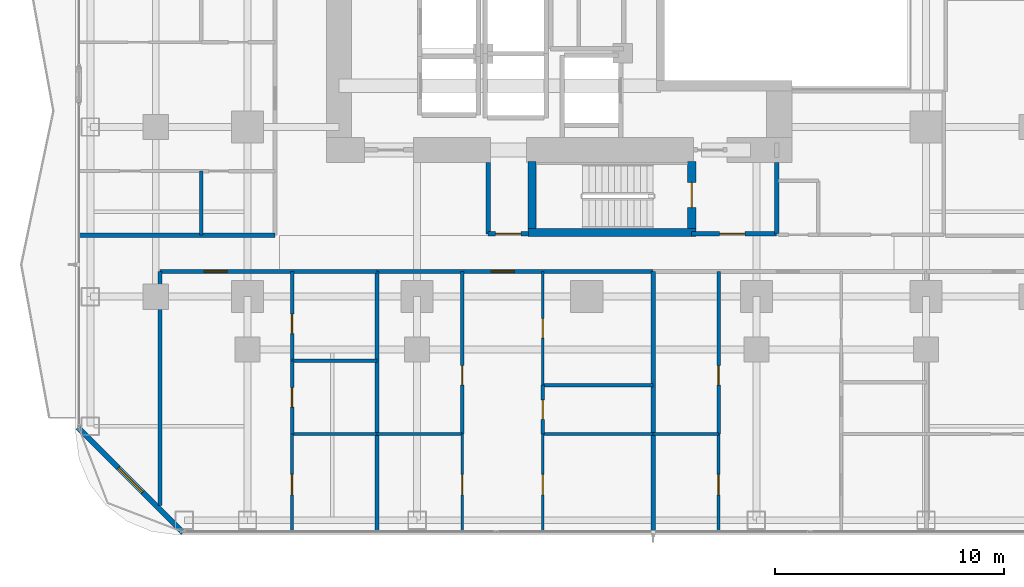
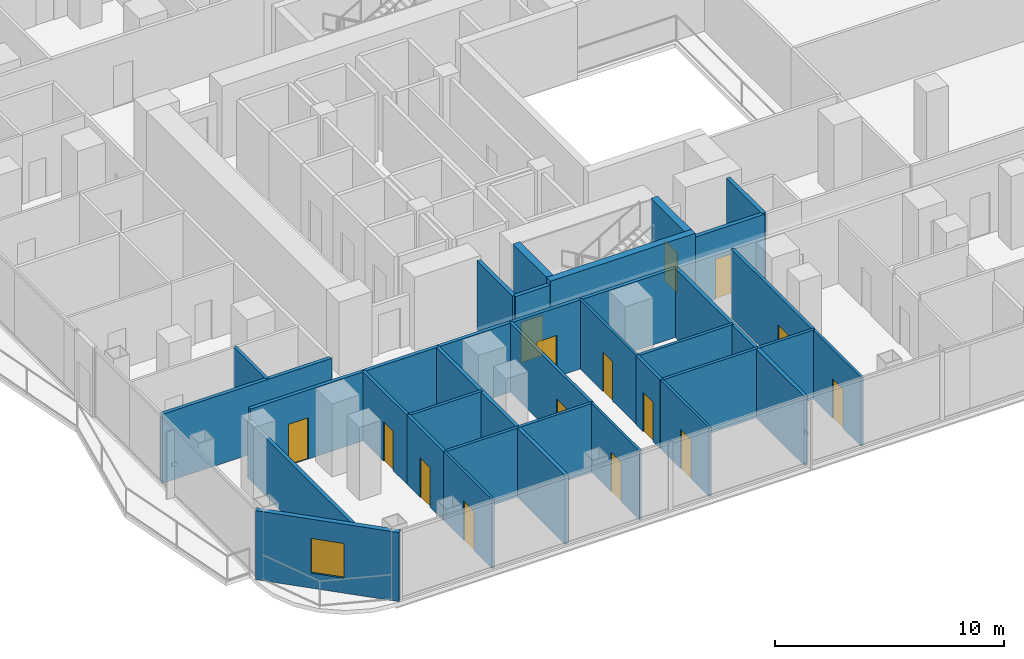
# One storey, part 20 of 30: 31 walls, 15 doors, 1 window, 16 openings.
"""IFC4 building model written with IfcOpenShell, lengths in metres."""

from ifc_helpers import new_model, si_unit, direction, frame, frame_2d, origin, place, context, subcontext, project, spatial, rectangle, extrude, material, layer, layer_set, type_object, element, fill, save


model = new_model("IFC4")

# Units and contexts
model_context = context("Model", 3, precision=1e-05, world=origin(), true_north=direction((0.0, 1.0)))
body_context = subcontext(model_context, "Body", "Model", "MODEL_VIEW")
ifc_project = project(units=[si_unit("LENGTHUNIT", "METRE"), si_unit("AREAUNIT", "SQUARE_METRE"), si_unit("VOLUMEUNIT", "CUBIC_METRE"), si_unit("PLANEANGLEUNIT", "RADIAN"), si_unit("MASSUNIT", "GRAM", prefix="KILO")], contexts=[model_context])

# Site, building, storey
site_placement = place(None, origin())
site = spatial("IfcSite", under=ifc_project, at=site_placement, CompositionType="ELEMENT")
building_placement = place(site_placement, origin())
building = spatial("IfcBuilding", under=site, at=building_placement, Name="Khorvyn Point Tower", CompositionType="ELEMENT")
storey_placement = place(building_placement, frame((0.0, 0.0, 30.60009765625)))
storey = spatial("IfcBuildingStorey", under=building, at=storey_placement, Name="L08", CompositionType="ELEMENT", Elevation=30.60009765625)

# Wall, opening, door
ifc_material_1 = material(Name="Double acoustic gypsum on twin steel stud", Category="steel")
ifc_layer_1 = layer(ifc_material_1, 0.179931640625)
ifc_layer_set_1 = layer_set([ifc_layer_1], Name="Acoustic Double-Stud Apartment Demising Wall 180")
wall_type_1 = type_object("IfcWallType", Name="Acoustic Double-Stud Apartment Demising Wall 180", PredefinedType="PARTITIONING", material=ifc_layer_set_1)
wall_1_placement = place(storey_placement, frame((-18.6201171875, -13.699951171875, 0.0), z_axis=(0.0, 0.0, 1.0), x_axis=(1.0, 0.0, 0.0)))
wall_1 = element("IfcWall", 1, at=wall_1_placement, inside=storey, type_object=wall_type_1, Name="Wall", PredefinedType="PARTITIONING", context=body_context, shape_type="SweptSolid", body=[
    extrude(rectangle(XDim=9.46923828125, YDim=0.179931640625, at=frame_2d((4.734619140625, 0.0))), origin(), (0.0, 0.0, 1.0), 3.679931640625),
])
opening_1_placement = place(wall_1_placement, frame((1.931396484375, 0.0, 0.0)))
opening_1 = element("IfcOpeningElement", 2, at=opening_1_placement, cuts=wall_1, Name="Opening ID-AP60", PredefinedType="OPENING", context=body_context, shape_type="SweptSolid", body=[
    extrude(rectangle(XDim=1.0, YDim=2.199951171875, at=frame_2d((0.5, 1.10009765625))), frame((0.0, 0.099853515625, 0.0), z_axis=(0.0, -1.0, 0.0), x_axis=(1.0, 0.0, 0.0)), (0.0, 0.0, 1.0), 0.199951171875),
])
ifc_material_2 = material(Name="Engineered hardwood fire-rated leaf", Category="wood")
door_type_1 = type_object("IfcDoorType", Name="Acoustic Solid-Core Timber Apartment Entrance Door 1000x2200", OperationType="NOTDEFINED", PredefinedType="DOOR", material=ifc_material_2)
door_1_placement = place(opening_1_placement, origin())
door_1 = element("IfcDoor", 3, at=door_1_placement, inside=storey, type_object=door_type_1, Name="Door", OperationType="SINGLE_SWING_RIGHT", OverallHeight=2.199951171875, OverallWidth=1.0, PredefinedType="DOOR", context=body_context, shape_type="SweptSolid", body=[
    extrude(rectangle(XDim=1.0, YDim=2.199951171875, at=frame_2d((0.5, 1.10009765625))), frame((0.0, 0.02490234375, 0.0), z_axis=(0.0, -1.0, 0.0), x_axis=(1.0, 0.0, 0.0)), (0.0, 0.0, 1.0), 0.050048828125),
])
fill(opening_1, door_1)

wall_2_placement = place(storey_placement, frame((-9.15087890625, -13.699951171875, 0.0), z_axis=(0.0, 0.0, 1.0), x_axis=(1.0, 0.0, 0.0)))
wall_2 = element("IfcWall", 4, at=wall_2_placement, inside=storey, type_object=wall_type_1, Name="Wall", PredefinedType="PARTITIONING", context=body_context, shape_type="SweptSolid", body=[
    extrude(rectangle(XDim=12.05078125, YDim=0.179931640625, at=frame_2d((6.025390625, 0.0))), origin(), (0.0, 0.0, 1.0), 3.679931640625),
])
opening_2_placement = place(wall_2_placement, frame((4.989013671875, 0.0, 0.0)))
opening_2 = element("IfcOpeningElement", 5, at=opening_2_placement, cuts=wall_2, Name="Opening ID-AP60", PredefinedType="OPENING", context=body_context, shape_type="SweptSolid", body=[
    extrude(rectangle(XDim=1.0, YDim=2.199951171875, at=frame_2d((0.5, 1.10009765625))), frame((0.0, 0.099853515625, 0.0), z_axis=(0.0, -1.0, 0.0), x_axis=(1.0, 0.0, 0.0)), (0.0, 0.0, 1.0), 0.199951171875),
])
door_2_placement = place(opening_2_placement, origin())
door_2 = element("IfcDoor", 6, at=door_2_placement, inside=storey, type_object=door_type_1, Name="Door", OperationType="SINGLE_SWING_RIGHT", OverallHeight=2.199951171875, OverallWidth=1.0, PredefinedType="DOOR", context=body_context, shape_type="SweptSolid", body=[
    extrude(rectangle(XDim=1.0, YDim=2.199951171875, at=frame_2d((0.5, 1.10009765625))), frame((0.0, 0.02490234375, 0.0), z_axis=(0.0, -1.0, 0.0), x_axis=(1.0, 0.0, 0.0)), (0.0, 0.0, 1.0), 0.050048828125),
])
fill(opening_2, door_2)

# Walls
wall_3_placement = place(storey_placement, frame((-18.6201171875, -23.909912109375, 0.0), z_axis=(0.0, 0.0, 1.0), x_axis=(0.0, 1.0, 0.0)))
element("IfcWall", 7, at=wall_3_placement, inside=storey, type_object=wall_type_1, Name="Wall", PredefinedType="PARTITIONING", context=body_context, shape_type="SweptSolid", body=[
    extrude(rectangle(XDim=10.2099609375, YDim=0.179931640625, at=frame_2d((5.10498046875, 0.0))), origin(), (0.0, 0.0, 1.0), 3.081787109375),
])
for number, where, z_axis, x_axis, name in (
    (8, (-9.15087890625, -25.030029296875, 0.0), (0.0, 0.0, 1.0), (0.0, 1.0, 0.0), "Wall"),
    (9, (2.89990234375, -25.030029296875, 0.0), (0.0, 0.0, 1.0), (0.0, 1.0, 0.0), "Wall"),
):
    element("IfcWall", number, at=place(storey_placement, frame(where, z_axis=z_axis, x_axis=x_axis)), inside=storey, type_object=wall_type_1, Name=name, PredefinedType="PARTITIONING", context=body_context, shape_type="SweptSolid", body=[
        extrude(rectangle(XDim=11.330078125, YDim=0.179931640625, at=frame_2d((5.6650390625, 0.0))), origin(), (0.0, 0.0, 1.0), 3.679931640625),
    ])
wall_4_placement = place(storey_placement, frame((-22.1298828125, -12.1201171875, 0.0), z_axis=(0.0, 0.0, 1.0), x_axis=(1.0, 0.0, 0.0)))
element("IfcWall", 10, at=wall_4_placement, inside=storey, type_object=wall_type_1, Name="Wall", PredefinedType="PARTITIONING", context=body_context, shape_type="SweptSolid", body=[
    extrude(rectangle(XDim=8.52978515625, YDim=0.179931640625, at=frame_2d((4.264892578125, 0.0))), origin(), (0.0, 0.0, 1.0), 3.679931640625),
])

# Wall, opening, window
ifc_material_3 = material(Name="Pale anodised aluminium rainscreen on steel stud", Category="steel")
ifc_layer_2 = layer(ifc_material_3, 0.239990234375)
ifc_layer_set_2 = layer_set([ifc_layer_2], Name="Anodised Aluminium Insulated Corner Spandrel Wall 240")
wall_type_2 = type_object("IfcWallType", Name="Anodised Aluminium Insulated Corner Spandrel Wall 240", PredefinedType="SOLIDWALL", material=ifc_layer_set_2)
wall_5_placement = place(storey_placement, frame((-17.607666015625, -25.09228515625, 0.0), z_axis=(0.0, 0.0, 1.0), x_axis=(-0.707106781187, 0.707106781187, 0.0)))
wall_5 = element("IfcWall", 11, at=wall_5_placement, inside=storey, type_object=wall_type_2, Name="L08 Rounded Corner Wall SW", PredefinedType="SOLIDWALL", context=body_context, shape_type="SweptSolid", body=[
    extrude(rectangle(XDim=6.48388671875, YDim=0.239990234375, at=frame_2d((3.241943359375, 0.0))), origin(), (0.0, 0.0, 1.0), 3.679931640625),
])
opening_3_placement = place(wall_5_placement, frame((2.491943359375, 0.0, 0.800048828125)))
opening_3 = element("IfcOpeningElement", 12, at=opening_3_placement, cuts=wall_5, Name="Opening WN-1518", PredefinedType="OPENING", context=body_context, shape_type="SweptSolid", body=[
    extrude(rectangle(XDim=1.5, YDim=1.85009765625, at=frame_2d((0.75, 0.925048828125))), frame((0.0, 0.1298828125, 0.0), z_axis=(0.0, -1.0, 0.0), x_axis=(1.0, 0.0, 0.0)), (0.0, 0.0, 1.0), 0.260009765625),
])
ifc_material_4 = material(Name="Anodised aluminium 6063-T6 and laminated Low-E glass", Category="aluminium")
window_type = type_object("IfcWindowType", Name="Anodised Aluminium Rounded-Corner Panoramic Window 1500x1850", PartitioningType="SINGLE_PANEL", PredefinedType="WINDOW", material=ifc_material_4)
window_placement = place(opening_3_placement, origin())
window = element("IfcWindow", 13, at=window_placement, inside=storey, type_object=window_type, Name="L08 Corner Panoramic Window SW", OverallHeight=1.85009765625, OverallWidth=1.5, PartitioningType="SINGLE_PANEL", PredefinedType="WINDOW", context=body_context, shape_type="SweptSolid", body=[
    extrude(rectangle(XDim=1.5, YDim=1.85009765625, at=frame_2d((0.75, 0.925048828125))), frame((0.0, 0.030029296875, 0.0), z_axis=(0.0, -1.0, 0.0), x_axis=(1.0, 0.0, 0.0)), (0.0, 0.0, 1.0), 0.06005859375),
])
fill(opening_3, window)

# Wall, opening, door
ifc_material_5 = material(Name="Concrete C40/50", Category="concrete")
ifc_layer_3 = layer(ifc_material_5, 0.199951171875)
ifc_layer_set_3 = layer_set([ifc_layer_3], Name="Concrete C40/50 Fire-Lobby Compartment Wall 200")
wall_type_3 = type_object("IfcWallType", Name="Concrete C40/50 Fire-Lobby Compartment Wall 200", PredefinedType="SOLIDWALL", material=ifc_layer_set_3)
wall_6_placement = place(storey_placement, frame((4.580078125, -12.06005859375, 0.0), z_axis=(0.0, 0.0, 1.0), x_axis=(1.0, 0.0, 0.0)))
wall_6 = element("IfcWall", 14, at=wall_6_placement, inside=storey, type_object=wall_type_3, Name="Wall", PredefinedType="SOLIDWALL", context=body_context, shape_type="SweptSolid", body=[
    extrude(rectangle(XDim=3.699951171875, YDim=0.199951171875, at=frame_2d((1.85009765625, 0.0))), origin(), (0.0, 0.0, 1.0), 3.679931640625),
])
opening_4_placement = place(wall_6_placement, frame((1.21240234375, 0.0, 0.0)))
opening_4 = element("IfcOpeningElement", 15, at=opening_4_placement, cuts=wall_6, Name="Opening ID-FL90", PredefinedType="OPENING", context=body_context, shape_type="SweptSolid", body=[
    extrude(rectangle(XDim=1.10009765625, YDim=2.14990234375, at=frame_2d((0.550048828125, 1.074951171875))), frame((0.0, 0.10986328125, 0.0), z_axis=(0.0, -1.0, 0.0), x_axis=(1.0, 0.0, 0.0)), (0.0, 0.0, 1.0), 0.219970703125),
])
ifc_material_6 = material(Name="Galvanised powder-coated steel", Category="steel")
door_type_2 = type_object("IfcDoorType", Name="Fire-Rated Steel Lobby and Stair Door 1100x2150", OperationType="NOTDEFINED", PredefinedType="DOOR", material=ifc_material_6)
door_3_placement = place(opening_4_placement, origin())
door_3 = element("IfcDoor", 16, at=door_3_placement, inside=storey, type_object=door_type_2, Name="Door", OperationType="SINGLE_SWING_RIGHT", OverallHeight=2.14990234375, OverallWidth=1.10009765625, PredefinedType="DOOR", context=body_context, shape_type="SweptSolid", body=[
    extrude(rectangle(XDim=1.10009765625, YDim=2.14990234375, at=frame_2d((0.550048828125, 1.074951171875))), frame((0.0, 0.02490234375, 0.0), z_axis=(0.0, -1.0, 0.0), x_axis=(1.0, 0.0, 0.0)), (0.0, 0.0, 1.0), 0.050048828125),
])
fill(opening_4, door_3)

wall_7_placement = place(storey_placement, frame((-4.300048828125, -12.06005859375, 0.0), z_axis=(0.0, 0.0, 1.0), x_axis=(1.0, 0.0, 0.0)))
wall_7 = element("IfcWall", 17, at=wall_7_placement, inside=storey, type_object=wall_type_3, Name="Wall", PredefinedType="SOLIDWALL", context=body_context, shape_type="SweptSolid", body=[
    extrude(rectangle(XDim=1.75, YDim=0.199951171875, at=frame_2d((0.875, 0.0))), origin(), (0.0, 0.0, 1.0), 3.679931640625),
])
opening_5_placement = place(wall_7_placement, frame((0.324951171875, 0.0, 0.0)))
opening_5 = element("IfcOpeningElement", 18, at=opening_5_placement, cuts=wall_7, Name="Opening ID-FL90", PredefinedType="OPENING", context=body_context, shape_type="SweptSolid", body=[
    extrude(rectangle(XDim=1.10009765625, YDim=2.14990234375, at=frame_2d((0.550048828125, 1.074951171875))), frame((0.0, 0.10986328125, 0.0), z_axis=(0.0, -1.0, 0.0), x_axis=(1.0, 0.0, 0.0)), (0.0, 0.0, 1.0), 0.219970703125),
])
door_4_placement = place(opening_5_placement, origin())
door_4 = element("IfcDoor", 19, at=door_4_placement, inside=storey, type_object=door_type_2, Name="Door", OperationType="SINGLE_SWING_LEFT", OverallHeight=2.14990234375, OverallWidth=1.10009765625, PredefinedType="DOOR", context=body_context, shape_type="SweptSolid", body=[
    extrude(rectangle(XDim=1.10009765625, YDim=2.14990234375, at=frame_2d((0.550048828125, 1.074951171875))), frame((0.0, 0.02490234375, 0.0), z_axis=(0.0, -1.0, 0.0), x_axis=(1.0, 0.0, 0.0)), (0.0, 0.0, 1.0), 0.050048828125),
])
fill(opening_5, door_4)

# Walls
for number, where, z_axis, x_axis, name in (
    (20, (8.280029296875, -12.06005859375, 0.0), (0.0, 0.0, 1.0), (0.0, 1.0, 0.0), "Wall"),
    (21, (-4.300048828125, -12.06005859375, 0.0), (0.0, 0.0, 1.0), (0.0, 1.0, 0.0), "Wall"),
):
    element("IfcWall", number, at=place(storey_placement, frame(where, z_axis=z_axis, x_axis=x_axis)), inside=storey, type_object=wall_type_3, Name=name, PredefinedType="SOLIDWALL", context=body_context, shape_type="SweptSolid", body=[
        extrude(rectangle(XDim=3.110107421875, YDim=0.199951171875, at=frame_2d((1.55517578125, 0.0))), origin(), (0.0, 0.0, 1.0), 3.679931640625),
    ])
ifc_layer_4 = layer(ifc_material_5, 0.35009765625)
ifc_layer_set_4 = layer_set([ifc_layer_4], Name="Concrete C40/50 Stair Shaft Structural Wall 350")
wall_type_4 = type_object("IfcWallType", Name="Concrete C40/50 Stair Shaft Structural Wall 350", PredefinedType="SHEAR", material=ifc_layer_set_4)
wall_8_placement = place(storey_placement, frame((-2.554931640625, -12.0, 0.0), z_axis=(0.0, 0.0, 1.0), x_axis=(1.0, 0.0, 0.0)))
element("IfcWall", 22, at=wall_8_placement, inside=storey, type_object=wall_type_4, Name="L08 ST-01 South Shaft Wall", PredefinedType="SHEAR", context=body_context, shape_type="SweptSolid", body=[
    extrude(rectangle(XDim=7.309814453125, YDim=0.35009765625, at=frame_2d((3.65478515625, 0.0))), origin(), (0.0, 0.0, 1.0), 3.89990234375),
])
wall_9_placement = place(storey_placement, frame((-2.3798828125, -11.824951171875, 0.0), z_axis=(0.0, 0.0, 1.0), x_axis=(0.0, 1.0, 0.0)))
element("IfcWall", 23, at=wall_9_placement, inside=storey, type_object=wall_type_4, Name="L08 ST-01 West Shaft Wall", PredefinedType="SHEAR", context=body_context, shape_type="SweptSolid", body=[
    extrude(rectangle(XDim=2.925048828125, YDim=0.35009765625, at=frame_2d((1.46240234375, 0.0))), origin(), (0.0, 0.0, 1.0), 3.89990234375),
])

# Wall, opening, door
wall_10_placement = place(storey_placement, frame((4.580078125, -8.89990234375, 0.0), z_axis=(0.0, 0.0, 1.0), x_axis=(0.0, -1.0, 0.0)))
wall_10 = element("IfcWall", 24, at=wall_10_placement, inside=storey, type_object=wall_type_4, Name="L08 ST-01 East Landing Door Wall", PredefinedType="SHEAR", context=body_context, shape_type="SweptSolid", body=[
    extrude(rectangle(XDim=2.925048828125, YDim=0.35009765625, at=frame_2d((1.46240234375, 0.0))), origin(), (0.0, 0.0, 1.0), 3.89990234375),
])
opening_6_placement = place(wall_10_placement, frame((0.91259765625, 0.0, 0.0)))
opening_6 = element("IfcOpeningElement", 25, at=opening_6_placement, cuts=wall_10, Name="Opening ID-FL90", PredefinedType="OPENING", context=body_context, shape_type="SweptSolid", body=[
    extrude(rectangle(XDim=1.10009765625, YDim=2.14990234375, at=frame_2d((0.550048828125, 1.074951171875))), frame((0.0, 0.18505859375, 0.0), z_axis=(0.0, -1.0, 0.0), x_axis=(1.0, 0.0, 0.0)), (0.0, 0.0, 1.0), 0.3701171875),
])
door_5_placement = place(opening_6_placement, origin())
door_5 = element("IfcDoor", 26, at=door_5_placement, inside=storey, type_object=door_type_2, Name="L08 ST-01 Smokeproof Landing Door", OperationType="SINGLE_SWING_RIGHT", OverallHeight=2.14990234375, OverallWidth=1.10009765625, PredefinedType="DOOR", context=body_context, shape_type="SweptSolid", body=[
    extrude(rectangle(XDim=1.10009765625, YDim=2.14990234375, at=frame_2d((0.550048828125, 1.074951171875))), frame((0.0, 0.02490234375, 0.0), z_axis=(0.0, -1.0, 0.0), x_axis=(1.0, 0.0, 0.0)), (0.0, 0.0, 1.0), 0.050048828125),
])
fill(opening_6, door_5)

ifc_material_7 = material(Name="Gypsum plasterboard on steel stud", Category="steel")
ifc_layer_5 = layer(ifc_material_7, 0.1201171875)
ifc_layer_set_5 = layer_set([ifc_layer_5], Name="Gypsum Acoustic Stud Room Partition Wall 120")
wall_type_5 = type_object("IfcWallType", Name="Gypsum Acoustic Stud Room Partition Wall 120", PredefinedType="PARTITIONING", material=ifc_layer_set_5)
wall_11_placement = place(storey_placement, frame((-12.85400390625, -25.030029296875, 0.0), z_axis=(0.0, 0.0, 1.0), x_axis=(0.0, 1.0, 0.0)))
wall_11 = element("IfcWall", 27, at=wall_11_placement, inside=storey, type_object=wall_type_5, Name="Wall", PredefinedType="PARTITIONING", context=body_context, shape_type="SweptSolid", body=[
    extrude(rectangle(XDim=4.239990234375, YDim=0.1201171875, at=frame_2d((2.1201171875, 0.0))), origin(), (0.0, 0.0, 1.0), 3.679931640625),
])
opening_7_placement = place(wall_11_placement, frame((1.581298828125, 0.0, 0.0)))
opening_7 = element("IfcOpeningElement", 28, at=opening_7_placement, cuts=wall_11, Name="Opening ID-RM90", PredefinedType="OPENING", context=body_context, shape_type="SweptSolid", body=[
    extrude(rectangle(XDim=0.89990234375, YDim=2.10009765625, at=frame_2d((0.449951171875, 1.050048828125))), frame((0.0, 0.070068359375, 0.0), z_axis=(0.0, -1.0, 0.0), x_axis=(1.0, 0.0, 0.0)), (0.0, 0.0, 1.0), 0.14013671875),
])
ifc_material_8 = material(Name="Engineered oak veneer timber", Category="wood")
door_type_3 = type_object("IfcDoorType", Name="Flush Engineered Timber Room Door 900x2100", OperationType="NOTDEFINED", PredefinedType="DOOR", material=ifc_material_8)
door_6_placement = place(opening_7_placement, origin())
door_6 = element("IfcDoor", 29, at=door_6_placement, inside=storey, type_object=door_type_3, Name="Door", OperationType="SINGLE_SWING_LEFT", OverallHeight=2.10009765625, OverallWidth=0.89990234375, PredefinedType="DOOR", context=body_context, shape_type="SweptSolid", body=[
    extrude(rectangle(XDim=0.89990234375, YDim=2.10009765625, at=frame_2d((0.449951171875, 1.050048828125))), frame((0.0, 0.02490234375, 0.0), z_axis=(0.0, -1.0, 0.0), x_axis=(1.0, 0.0, 0.0)), (0.0, 0.0, 1.0), 0.050048828125),
])
fill(opening_7, door_6)

wall_12_placement = place(storey_placement, frame((-5.43408203125, -25.030029296875, 0.0), z_axis=(0.0, 0.0, 1.0), x_axis=(0.0, 1.0, 0.0)))
wall_12 = element("IfcWall", 30, at=wall_12_placement, inside=storey, type_object=wall_type_5, Name="Wall", PredefinedType="PARTITIONING", context=body_context, shape_type="SweptSolid", body=[
    extrude(rectangle(XDim=4.239990234375, YDim=0.1201171875, at=frame_2d((2.1201171875, 0.0))), origin(), (0.0, 0.0, 1.0), 3.679931640625),
])
opening_8_placement = place(wall_12_placement, frame((1.581298828125, 0.0, 0.0)))
opening_8 = element("IfcOpeningElement", 31, at=opening_8_placement, cuts=wall_12, Name="Opening ID-RM90", PredefinedType="OPENING", context=body_context, shape_type="SweptSolid", body=[
    extrude(rectangle(XDim=0.89990234375, YDim=2.10009765625, at=frame_2d((0.449951171875, 1.050048828125))), frame((0.0, 0.070068359375, 0.0), z_axis=(0.0, -1.0, 0.0), x_axis=(1.0, 0.0, 0.0)), (0.0, 0.0, 1.0), 0.14013671875),
])
door_7_placement = place(opening_8_placement, origin())
door_7 = element("IfcDoor", 32, at=door_7_placement, inside=storey, type_object=door_type_3, Name="Door", OperationType="SINGLE_SWING_RIGHT", OverallHeight=2.10009765625, OverallWidth=0.89990234375, PredefinedType="DOOR", context=body_context, shape_type="SweptSolid", body=[
    extrude(rectangle(XDim=0.89990234375, YDim=2.10009765625, at=frame_2d((0.449951171875, 1.050048828125))), frame((0.0, 0.02490234375, 0.0), z_axis=(0.0, -1.0, 0.0), x_axis=(1.0, 0.0, 0.0)), (0.0, 0.0, 1.0), 0.050048828125),
])
fill(opening_8, door_7)

wall_13_placement = place(storey_placement, frame((-1.919921875, -18.6630859375, 0.0), z_axis=(0.0, 0.0, 1.0), x_axis=(0.0, 1.0, 0.0)))
wall_13 = element("IfcWall", 33, at=wall_13_placement, inside=storey, type_object=wall_type_5, Name="Wall", PredefinedType="PARTITIONING", context=body_context, shape_type="SweptSolid", body=[
    extrude(rectangle(XDim=4.963134765625, YDim=0.1201171875, at=frame_2d((2.4814453125, 0.0))), origin(), (0.0, 0.0, 1.0), 3.679931640625),
])
opening_9_placement = place(wall_13_placement, frame((2.056396484375, 0.0, 0.0)))
opening_9 = element("IfcOpeningElement", 34, at=opening_9_placement, cuts=wall_13, Name="Opening ID-WC85", PredefinedType="OPENING", context=body_context, shape_type="SweptSolid", body=[
    extrude(rectangle(XDim=0.85009765625, YDim=2.10009765625, at=frame_2d((0.425048828125, 1.050048828125))), frame((0.0, 0.070068359375, 0.0), z_axis=(0.0, -1.0, 0.0), x_axis=(1.0, 0.0, 0.0)), (0.0, 0.0, 1.0), 0.14013671875),
])
ifc_material_9 = material(Name="High-pressure laminate on moisture-resistant core", Category="wood")
door_type_4 = type_object("IfcDoorType", Name="Moisture-Resistant Accessible Washroom Door 850x2100", OperationType="NOTDEFINED", PredefinedType="DOOR", material=ifc_material_9)
door_8_placement = place(opening_9_placement, origin())
door_8 = element("IfcDoor", 35, at=door_8_placement, inside=storey, type_object=door_type_4, Name="Door", OperationType="SINGLE_SWING_RIGHT", OverallHeight=2.10009765625, OverallWidth=0.85009765625, PredefinedType="DOOR", context=body_context, shape_type="SweptSolid", body=[
    extrude(rectangle(XDim=0.85009765625, YDim=2.10009765625, at=frame_2d((0.425048828125, 1.050048828125))), frame((0.0, 0.02490234375, 0.0), z_axis=(0.0, -1.0, 0.0), x_axis=(1.0, 0.0, 0.0)), (0.0, 0.0, 1.0), 0.050048828125),
])
fill(opening_9, door_8)

wall_14_placement = place(storey_placement, frame((-1.919921875, -25.030029296875, 0.0), z_axis=(0.0, 0.0, 1.0), x_axis=(0.0, 1.0, 0.0)))
wall_14 = element("IfcWall", 36, at=wall_14_placement, inside=storey, type_object=wall_type_5, Name="Wall", PredefinedType="PARTITIONING", context=body_context, shape_type="SweptSolid", body=[
    extrude(rectangle(XDim=4.239990234375, YDim=0.1201171875, at=frame_2d((2.1201171875, 0.0))), origin(), (0.0, 0.0, 1.0), 3.679931640625),
])
opening_10_placement = place(wall_14_placement, frame((1.581298828125, 0.0, 0.0)))
opening_10 = element("IfcOpeningElement", 37, at=opening_10_placement, cuts=wall_14, Name="Opening ID-RM90", PredefinedType="OPENING", context=body_context, shape_type="SweptSolid", body=[
    extrude(rectangle(XDim=0.89990234375, YDim=2.10009765625, at=frame_2d((0.449951171875, 1.050048828125))), frame((0.0, 0.070068359375, 0.0), z_axis=(0.0, -1.0, 0.0), x_axis=(1.0, 0.0, 0.0)), (0.0, 0.0, 1.0), 0.14013671875),
])
door_9_placement = place(opening_10_placement, origin())
door_9 = element("IfcDoor", 38, at=door_9_placement, inside=storey, type_object=door_type_3, Name="Door", OperationType="SINGLE_SWING_LEFT", OverallHeight=2.10009765625, OverallWidth=0.89990234375, PredefinedType="DOOR", context=body_context, shape_type="SweptSolid", body=[
    extrude(rectangle(XDim=0.89990234375, YDim=2.10009765625, at=frame_2d((0.449951171875, 1.050048828125))), frame((0.0, 0.02490234375, 0.0), z_axis=(0.0, -1.0, 0.0), x_axis=(1.0, 0.0, 0.0)), (0.0, 0.0, 1.0), 0.050048828125),
])
fill(opening_10, door_9)

wall_15_placement = place(storey_placement, frame((5.75, -25.030029296875, 0.0), z_axis=(0.0, 0.0, 1.0), x_axis=(0.0, 1.0, 0.0)))
wall_15 = element("IfcWall", 39, at=wall_15_placement, inside=storey, type_object=wall_type_5, Name="Wall", PredefinedType="PARTITIONING", context=body_context, shape_type="SweptSolid", body=[
    extrude(rectangle(XDim=4.239990234375, YDim=0.1201171875, at=frame_2d((2.1201171875, 0.0))), origin(), (0.0, 0.0, 1.0), 3.679931640625),
])
opening_11_placement = place(wall_15_placement, frame((1.581298828125, 0.0, 0.0)))
opening_11 = element("IfcOpeningElement", 40, at=opening_11_placement, cuts=wall_15, Name="Opening ID-RM90", PredefinedType="OPENING", context=body_context, shape_type="SweptSolid", body=[
    extrude(rectangle(XDim=0.89990234375, YDim=2.10009765625, at=frame_2d((0.449951171875, 1.050048828125))), frame((0.0, 0.070068359375, 0.0), z_axis=(0.0, -1.0, 0.0), x_axis=(1.0, 0.0, 0.0)), (0.0, 0.0, 1.0), 0.14013671875),
])
door_10_placement = place(opening_11_placement, origin())
door_10 = element("IfcDoor", 41, at=door_10_placement, inside=storey, type_object=door_type_3, Name="Door", OperationType="SINGLE_SWING_RIGHT", OverallHeight=2.10009765625, OverallWidth=0.89990234375, PredefinedType="DOOR", context=body_context, shape_type="SweptSolid", body=[
    extrude(rectangle(XDim=0.89990234375, YDim=2.10009765625, at=frame_2d((0.449951171875, 1.050048828125))), frame((0.0, 0.02490234375, 0.0), z_axis=(0.0, -1.0, 0.0), x_axis=(1.0, 0.0, 0.0)), (0.0, 0.0, 1.0), 0.050048828125),
])
fill(opening_11, door_10)

ifc_material_10 = material(Name="Moisture-resistant gypsum and cement board", Category="gypsum")
ifc_layer_6 = layer(ifc_material_10, 0.14990234375)
ifc_layer_set_6 = layer_set([ifc_layer_6], Name="Moisture-Resistant Wet-Room Partition Wall 150")
wall_type_6 = type_object("IfcWallType", Name="Moisture-Resistant Wet-Room Partition Wall 150", PredefinedType="PARTITIONING", material=ifc_layer_set_6)
wall_16_placement = place(storey_placement, frame((-12.85400390625, -17.59912109375, 0.0), z_axis=(0.0, 0.0, 1.0), x_axis=(0.0, 1.0, 0.0)))
wall_16 = element("IfcWall", 42, at=wall_16_placement, inside=storey, type_object=wall_type_6, Name="Wall", PredefinedType="PARTITIONING", context=body_context, shape_type="SweptSolid", body=[
    extrude(rectangle(XDim=3.899169921875, YDim=0.14990234375, at=frame_2d((1.94970703125, 0.0))), origin(), (0.0, 0.0, 1.0), 3.679931640625),
])
opening_12_placement = place(wall_16_placement, frame((1.183349609375, 0.0, 0.0)))
opening_12 = element("IfcOpeningElement", 43, at=opening_12_placement, cuts=wall_16, Name="Opening ID-WC85", PredefinedType="OPENING", context=body_context, shape_type="SweptSolid", body=[
    extrude(rectangle(XDim=0.85009765625, YDim=2.10009765625, at=frame_2d((0.425048828125, 1.050048828125))), frame((0.0, 0.0849609375, 0.0), z_axis=(0.0, -1.0, 0.0), x_axis=(1.0, 0.0, 0.0)), (0.0, 0.0, 1.0), 0.169921875),
])
door_11_placement = place(opening_12_placement, origin())
door_11 = element("IfcDoor", 44, at=door_11_placement, inside=storey, type_object=door_type_4, Name="Door", OperationType="SINGLE_SWING_LEFT", OverallHeight=2.10009765625, OverallWidth=0.85009765625, PredefinedType="DOOR", context=body_context, shape_type="SweptSolid", body=[
    extrude(rectangle(XDim=0.85009765625, YDim=2.10009765625, at=frame_2d((0.425048828125, 1.050048828125))), frame((0.0, 0.02490234375, 0.0), z_axis=(0.0, -1.0, 0.0), x_axis=(1.0, 0.0, 0.0)), (0.0, 0.0, 1.0), 0.050048828125),
])
fill(opening_12, door_11)

wall_17_placement = place(storey_placement, frame((-12.85400390625, -20.7900390625, 0.0), z_axis=(0.0, 0.0, 1.0), x_axis=(0.0, 1.0, 0.0)))
wall_17 = element("IfcWall", 45, at=wall_17_placement, inside=storey, type_object=wall_type_6, Name="Wall", PredefinedType="PARTITIONING", context=body_context, shape_type="SweptSolid", body=[
    extrude(rectangle(XDim=3.19091796875, YDim=0.14990234375, at=frame_2d((1.595458984375, 0.0))), origin(), (0.0, 0.0, 1.0), 3.679931640625),
])
opening_13_placement = place(wall_17_placement, frame((1.17041015625, 0.0, 0.0)))
opening_13 = element("IfcOpeningElement", 46, at=opening_13_placement, cuts=wall_17, Name="Opening ID-WC85", PredefinedType="OPENING", context=body_context, shape_type="SweptSolid", body=[
    extrude(rectangle(XDim=0.85009765625, YDim=2.10009765625, at=frame_2d((0.425048828125, 1.050048828125))), frame((0.0, 0.0849609375, 0.0), z_axis=(0.0, -1.0, 0.0), x_axis=(1.0, 0.0, 0.0)), (0.0, 0.0, 1.0), 0.169921875),
])
door_12_placement = place(opening_13_placement, origin())
door_12 = element("IfcDoor", 47, at=door_12_placement, inside=storey, type_object=door_type_4, Name="Door", OperationType="SINGLE_SWING_RIGHT", OverallHeight=2.10009765625, OverallWidth=0.85009765625, PredefinedType="DOOR", context=body_context, shape_type="SweptSolid", body=[
    extrude(rectangle(XDim=0.85009765625, YDim=2.10009765625, at=frame_2d((0.425048828125, 1.050048828125))), frame((0.0, 0.02490234375, 0.0), z_axis=(0.0, -1.0, 0.0), x_axis=(1.0, 0.0, 0.0)), (0.0, 0.0, 1.0), 0.050048828125),
])
fill(opening_13, door_12)

wall_18_placement = place(storey_placement, frame((-5.43408203125, -20.7900390625, 0.0), z_axis=(0.0, 0.0, 1.0), x_axis=(0.0, 1.0, 0.0)))
wall_18 = element("IfcWall", 48, at=wall_18_placement, inside=storey, type_object=wall_type_6, Name="Wall", PredefinedType="PARTITIONING", context=body_context, shape_type="SweptSolid", body=[
    extrude(rectangle(XDim=7.090087890625, YDim=0.14990234375, at=frame_2d((3.544921875, 0.0))), origin(), (0.0, 0.0, 1.0), 3.679931640625),
])
opening_14_placement = place(wall_18_placement, frame((2.13330078125, 0.0, 0.0)))
opening_14 = element("IfcOpeningElement", 49, at=opening_14_placement, cuts=wall_18, Name="Opening ID-WC85", PredefinedType="OPENING", context=body_context, shape_type="SweptSolid", body=[
    extrude(rectangle(XDim=0.85009765625, YDim=2.10009765625, at=frame_2d((0.425048828125, 1.050048828125))), frame((0.0, 0.0849609375, 0.0), z_axis=(0.0, -1.0, 0.0), x_axis=(1.0, 0.0, 0.0)), (0.0, 0.0, 1.0), 0.169921875),
])
door_13_placement = place(opening_14_placement, origin())
door_13 = element("IfcDoor", 50, at=door_13_placement, inside=storey, type_object=door_type_4, Name="Door", OperationType="SINGLE_SWING_LEFT", OverallHeight=2.10009765625, OverallWidth=0.85009765625, PredefinedType="DOOR", context=body_context, shape_type="SweptSolid", body=[
    extrude(rectangle(XDim=0.85009765625, YDim=2.10009765625, at=frame_2d((0.425048828125, 1.050048828125))), frame((0.0, 0.02490234375, 0.0), z_axis=(0.0, -1.0, 0.0), x_axis=(1.0, 0.0, 0.0)), (0.0, 0.0, 1.0), 0.050048828125),
])
fill(opening_14, door_13)

wall_19_placement = place(storey_placement, frame((-1.919921875, -20.7900390625, 0.0), z_axis=(0.0, 0.0, 1.0), x_axis=(0.0, 1.0, 0.0)))
wall_19 = element("IfcWall", 51, at=wall_19_placement, inside=storey, type_object=wall_type_6, Name="Wall", PredefinedType="PARTITIONING", context=body_context, shape_type="SweptSolid", body=[
    extrude(rectangle(XDim=2.126953125, YDim=0.14990234375, at=frame_2d((1.0634765625, 0.0))), origin(), (0.0, 0.0, 1.0), 3.679931640625),
])
opening_15_placement = place(wall_19_placement, frame((0.638427734375, 0.0, 0.0)))
opening_15 = element("IfcOpeningElement", 52, at=opening_15_placement, cuts=wall_19, Name="Opening ID-WC85", PredefinedType="OPENING", context=body_context, shape_type="SweptSolid", body=[
    extrude(rectangle(XDim=0.85009765625, YDim=2.10009765625, at=frame_2d((0.425048828125, 1.050048828125))), frame((0.0, 0.0849609375, 0.0), z_axis=(0.0, -1.0, 0.0), x_axis=(1.0, 0.0, 0.0)), (0.0, 0.0, 1.0), 0.169921875),
])
door_14_placement = place(opening_15_placement, origin())
door_14 = element("IfcDoor", 53, at=door_14_placement, inside=storey, type_object=door_type_4, Name="Door", OperationType="SINGLE_SWING_LEFT", OverallHeight=2.10009765625, OverallWidth=0.85009765625, PredefinedType="DOOR", context=body_context, shape_type="SweptSolid", body=[
    extrude(rectangle(XDim=0.85009765625, YDim=2.10009765625, at=frame_2d((0.425048828125, 1.050048828125))), frame((0.0, 0.02490234375, 0.0), z_axis=(0.0, -1.0, 0.0), x_axis=(1.0, 0.0, 0.0)), (0.0, 0.0, 1.0), 0.050048828125),
])
fill(opening_15, door_14)

wall_20_placement = place(storey_placement, frame((5.75, -20.7900390625, 0.0), z_axis=(0.0, 0.0, 1.0), x_axis=(0.0, 1.0, 0.0)))
wall_20 = element("IfcWall", 54, at=wall_20_placement, inside=storey, type_object=wall_type_6, Name="Wall", PredefinedType="PARTITIONING", context=body_context, shape_type="SweptSolid", body=[
    extrude(rectangle(XDim=7.090087890625, YDim=0.14990234375, at=frame_2d((3.544921875, 0.0))), origin(), (0.0, 0.0, 1.0), 3.679931640625),
])
opening_16_placement = place(wall_20_placement, frame((2.13330078125, 0.0, 0.0)))
opening_16 = element("IfcOpeningElement", 55, at=opening_16_placement, cuts=wall_20, Name="Opening ID-WC85", PredefinedType="OPENING", context=body_context, shape_type="SweptSolid", body=[
    extrude(rectangle(XDim=0.85009765625, YDim=2.10009765625, at=frame_2d((0.425048828125, 1.050048828125))), frame((0.0, 0.0849609375, 0.0), z_axis=(0.0, -1.0, 0.0), x_axis=(1.0, 0.0, 0.0)), (0.0, 0.0, 1.0), 0.169921875),
])
door_15_placement = place(opening_16_placement, origin())
door_15 = element("IfcDoor", 56, at=door_15_placement, inside=storey, type_object=door_type_4, Name="Door", OperationType="SINGLE_SWING_LEFT", OverallHeight=2.10009765625, OverallWidth=0.85009765625, PredefinedType="DOOR", context=body_context, shape_type="SweptSolid", body=[
    extrude(rectangle(XDim=0.85009765625, YDim=2.10009765625, at=frame_2d((0.425048828125, 1.050048828125))), frame((0.0, 0.02490234375, 0.0), z_axis=(0.0, -1.0, 0.0), x_axis=(1.0, 0.0, 0.0)), (0.0, 0.0, 1.0), 0.050048828125),
])
fill(opening_16, door_15)

# Walls
for number, where, z_axis, x_axis, name in (
    (57, (-12.85400390625, -17.59912109375, 0.0), (0.0, 0.0, 1.0), (1.0, 0.0, 0.0), "Wall"),
    (58, (-12.85400390625, -20.7900390625, 0.0), (0.0, 0.0, 1.0), (1.0, 0.0, 0.0), "Wall"),
):
    element("IfcWall", number, at=place(storey_placement, frame(where, z_axis=z_axis, x_axis=x_axis)), inside=storey, type_object=wall_type_6, Name=name, PredefinedType="PARTITIONING", context=body_context, shape_type="SweptSolid", body=[
        extrude(rectangle(XDim=3.703125, YDim=0.14990234375, at=frame_2d((1.8515625, 0.0))), origin(), (0.0, 0.0, 1.0), 3.679931640625),
    ])
wall_21_placement = place(storey_placement, frame((-9.15087890625, -20.7900390625, 0.0), z_axis=(0.0, 0.0, 1.0), x_axis=(1.0, 0.0, 0.0)))
element("IfcWall", 59, at=wall_21_placement, inside=storey, type_object=wall_type_6, Name="Wall", PredefinedType="PARTITIONING", context=body_context, shape_type="SweptSolid", body=[
    extrude(rectangle(XDim=3.716796875, YDim=0.14990234375, at=frame_2d((1.8583984375, 0.0))), origin(), (0.0, 0.0, 1.0), 3.679931640625),
])
for number, where, z_axis, x_axis, name in (
    (60, (-1.919921875, -18.6630859375, 0.0), (0.0, 0.0, 1.0), (1.0, 0.0, 0.0), "Wall"),
    (61, (-1.919921875, -20.7900390625, 0.0), (0.0, 0.0, 1.0), (1.0, 0.0, 0.0), "Wall"),
):
    element("IfcWall", number, at=place(storey_placement, frame(where, z_axis=z_axis, x_axis=x_axis)), inside=storey, type_object=wall_type_6, Name=name, PredefinedType="PARTITIONING", context=body_context, shape_type="SweptSolid", body=[
        extrude(rectangle(XDim=4.81982421875, YDim=0.14990234375, at=frame_2d((2.409912109375, 0.0))), origin(), (0.0, 0.0, 1.0), 3.679931640625),
    ])
wall_22_placement = place(storey_placement, frame((2.89990234375, -20.7900390625, 0.0), z_axis=(0.0, 0.0, 1.0), x_axis=(1.0, 0.0, 0.0)))
element("IfcWall", 62, at=wall_22_placement, inside=storey, type_object=wall_type_6, Name="Wall", PredefinedType="PARTITIONING", context=body_context, shape_type="SweptSolid", body=[
    extrude(rectangle(XDim=2.85009765625, YDim=0.14990234375, at=frame_2d((1.425048828125, 0.0))), origin(), (0.0, 0.0, 1.0), 3.679931640625),
])
wall_23_placement = place(storey_placement, frame((-16.80810546875, -12.1201171875, 0.0), z_axis=(0.0, 0.0, 1.0), x_axis=(0.0, 1.0, 0.0)))
element("IfcWall", 63, at=wall_23_placement, inside=storey, type_object=wall_type_6, Name="Wall", PredefinedType="PARTITIONING", context=body_context, shape_type="SweptSolid", body=[
    extrude(rectangle(XDim=2.800048828125, YDim=0.14990234375, at=frame_2d((1.39990234375, 0.0))), origin(), (0.0, 0.0, 1.0), 3.679931640625),
])

save(model, "model.ifc")
